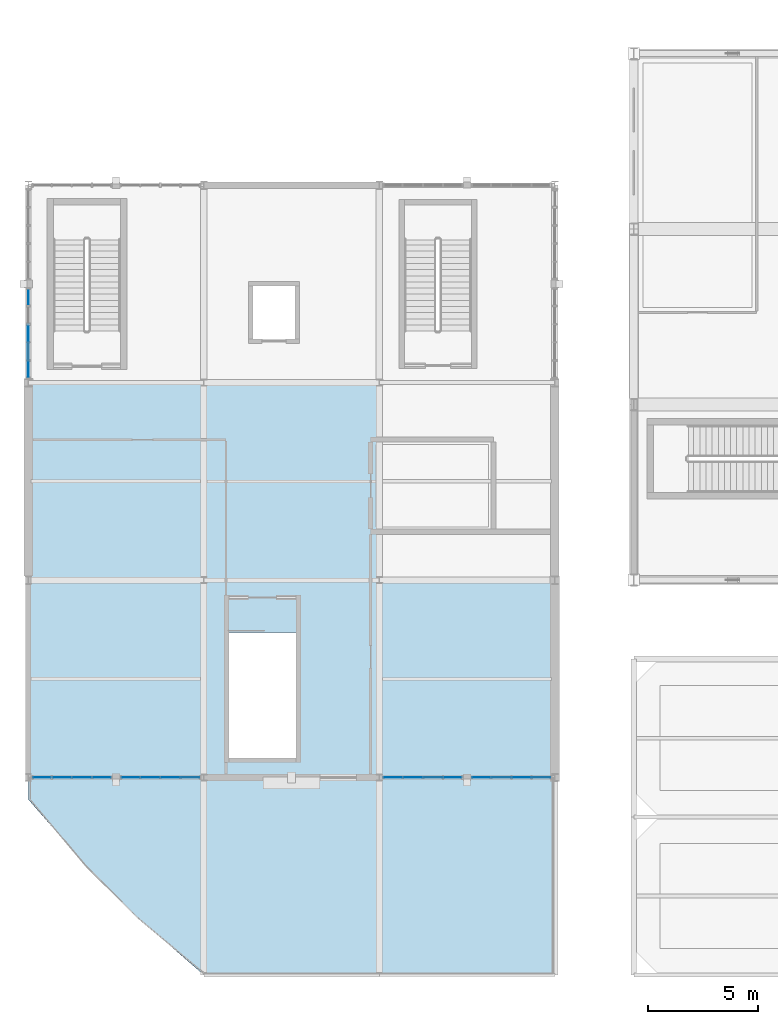
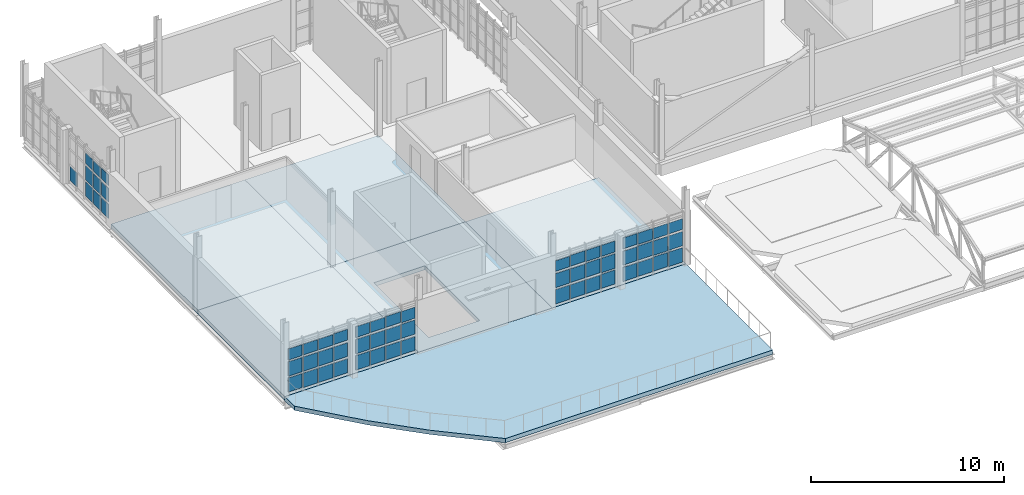
# One storey, part 84 of 128: 58 plates, 6 slabs, 5 elements without a shape of their own.
"""IFC4 building model written with IfcOpenShell, lengths in metres."""

from ifc_helpers import new_model, si_unit, direction, frame, origin, origin_2d, place, context, subcontext, project, spatial, polyline, rectangle, outline, extrude, material, layer, layer_set, type_object, element, aggregate, save


model = new_model("IFC4")

# Units and contexts
model_context = context("Model", 3, precision=1e-05, world=origin(), true_north=direction((0.0, 1.0)))
body_context = subcontext(model_context, "Body", "Model", "MODEL_VIEW")
ifc_project = project(units=[si_unit("LENGTHUNIT", "METRE"), si_unit("AREAUNIT", "SQUARE_METRE"), si_unit("VOLUMEUNIT", "CUBIC_METRE"), si_unit("PLANEANGLEUNIT", "RADIAN"), si_unit("MASSUNIT", "GRAM", prefix="KILO")], contexts=[model_context])

# Site, building, storey
site_placement = place(None, origin())
site = spatial("IfcSite", under=ifc_project, at=site_placement, CompositionType="ELEMENT")
building_placement = place(site_placement, origin())
building = spatial("IfcBuilding", under=site, at=building_placement, Name="Serraforn Aerial Cableway Station", CompositionType="ELEMENT")
storey_placement = place(building_placement, frame((0.0, 0.0, 9.0)))
storey = spatial("IfcBuildingStorey", under=building, at=storey_placement, Name="L02", CompositionType="ELEMENT", Elevation=9.0)

# Curtain wall, plates
ifc_material_1 = material(Name="Anodised bronze unitised curtain wall")
curtain_wall_type_1 = type_object("IfcCurtainWallType", Name="CW-SYS-23", PredefinedType="USERDEFINED", material=ifc_material_1)
curtain_wall_1_placement = place(storey_placement, origin())
curtain_wall_1 = element("IfcCurtainWall", 1, at=curtain_wall_1_placement, inside=storey, type_object=curtain_wall_type_1, Name="Unitised Curtain Wall CW-W-L02-S1A", ObjectType="UNITISED CURTAIN WALL", PredefinedType="USERDEFINED")
ifc_material_2 = material(Name="Solar-control low-E double glazing", Category="glass")
ifc_layer_1 = layer(ifc_material_2, 0.02587890625)
ifc_layer_set_1 = layer_set([ifc_layer_1], Name="Solar-control low-E double glazing")
plate_type_1 = type_object("IfcPlateType", Name="CW-GLZ-1", PredefinedType="CURTAIN_PANEL", material=ifc_layer_set_1)
plate_1_placement = place(storey_placement, frame((0.623291015625, 9.0, 1.2158203125), z_axis=(0.0, 0.0, 1.0), x_axis=(1.0, 0.0, 0.0)))
plate_1 = element("IfcPlate", 2, at=plate_1_placement, type_object=plate_type_1, Name="Curtain Wall Panel CW-W-L02-S1A-P1-2", PredefinedType="CURTAIN_PANEL", context=body_context, shape_type="SweptSolid", body=[
    extrude(rectangle(XDim=0.814453125, YDim=0.02587890625, at=origin_2d()), origin(), (0.0, 0.0, 1.0), 0.9150390625),
])
plate_2_placement = place(storey_placement, frame((1.530029296875, 9.0, 0.189697265625), z_axis=(0.0, 0.0, 1.0), x_axis=(1.0, 0.0, 0.0)))
plate_2 = element("IfcPlate", 3, at=plate_2_placement, type_object=plate_type_1, Name="Curtain Wall Panel CW-W-L02-S1A-P2-1", PredefinedType="CURTAIN_PANEL", context=body_context, shape_type="SweptSolid", body=[
    extrude(rectangle(XDim=0.85693359375, YDim=0.02587890625, at=origin_2d()), origin(), (0.0, 0.0, 1.0), 0.9150390625),
])

# Curtain wall, plate
curtain_wall_type_2 = type_object("IfcCurtainWallType", Name="CW-SYS-24", PredefinedType="USERDEFINED", material=ifc_material_1)
curtain_wall_2_placement = place(storey_placement, origin())
curtain_wall_2 = element("IfcCurtainWall", 4, at=curtain_wall_2_placement, inside=storey, type_object=curtain_wall_type_2, Name="Unitised Curtain Wall CW-W-L02-S1B", ObjectType="UNITISED CURTAIN WALL", PredefinedType="USERDEFINED")
plate_3_placement = place(storey_placement, frame((4.66259765625, 9.0, 0.189697265625), z_axis=(0.0, 0.0, 1.0), x_axis=(1.0, 0.0, 0.0)))
plate_3 = element("IfcPlate", 5, at=plate_3_placement, type_object=plate_type_1, Name="Curtain Wall Panel CW-W-L02-S1B-P1-1", PredefinedType="CURTAIN_PANEL", context=body_context, shape_type="SweptSolid", body=[
    extrude(rectangle(XDim=0.819580078125, YDim=0.02587890625, at=origin_2d()), origin(), (0.0, 0.0, 1.0), 0.9150390625),
])

curtain_wall_type_3 = type_object("IfcCurtainWallType", Name="CW-SYS-4", PredefinedType="USERDEFINED", material=ifc_material_1)
curtain_wall_3_placement = place(storey_placement, origin())
curtain_wall_3 = element("IfcCurtainWall", 6, at=curtain_wall_3_placement, inside=storey, type_object=curtain_wall_type_3, Name="Unitised Curtain Wall CW-W-L02-W3B", ObjectType="UNITISED CURTAIN WALL", PredefinedType="USERDEFINED")
plate_4_placement = place(storey_placement, frame((0.0, 30.890869140625, 0.209716796875), z_axis=(0.0, 0.0, 1.0), x_axis=(1.0, 0.0, 0.0)))
plate_4 = element("IfcPlate", 7, at=plate_4_placement, type_object=plate_type_1, Name="Curtain Wall Panel CW-W-L02-W3B-P1-1", PredefinedType="CURTAIN_PANEL", context=body_context, shape_type="SweptSolid", body=[
    extrude(rectangle(XDim=0.02587890625, YDim=0.732421875, at=origin_2d()), origin(), (0.0, 0.0, 1.0), 0.87255859375),
])

# Plate
ifc_layer_2 = layer(ifc_material_2, 0.028076171875)
ifc_layer_set_2 = layer_set([ifc_layer_2], Name="Solar-control low-E double glazing")
plate_type_2 = type_object("IfcPlateType", Name="CW-GLZ-2", PredefinedType="CURTAIN_PANEL", material=ifc_layer_set_2)
plate_5_placement = place(storey_placement, frame((0.623291015625, 9.0, 2.246826171875), z_axis=(0.0, 0.0, 1.0), x_axis=(1.0, 0.0, 0.0)))
plate_5 = element("IfcPlate", 8, at=plate_5_placement, type_object=plate_type_2, Name="Curtain Wall Panel CW-W-L02-S1A-P1-3", PredefinedType="CURTAIN_PANEL", context=body_context, shape_type="SweptSolid", body=[
    extrude(rectangle(XDim=0.814453125, YDim=0.028076171875, at=origin_2d()), origin(), (0.0, 0.0, 1.0), 0.697265625),
])

plate_6_placement = place(storey_placement, frame((1.530029296875, 9.0, 1.220703125), z_axis=(0.0, 0.0, 1.0), x_axis=(1.0, 0.0, 0.0)))
plate_6 = element("IfcPlate", 9, at=plate_6_placement, type_object=plate_type_2, Name="Curtain Wall Panel CW-W-L02-S1A-P2-2", PredefinedType="CURTAIN_PANEL", context=body_context, shape_type="SweptSolid", body=[
    extrude(rectangle(XDim=0.85693359375, YDim=0.028076171875, at=origin_2d()), origin(), (0.0, 0.0, 1.0), 0.902587890625),
])

plate_7_placement = place(storey_placement, frame((2.441650390625, 9.0, 0.19482421875), z_axis=(0.0, 0.0, 1.0), x_axis=(1.0, 0.0, 0.0)))
plate_7 = element("IfcPlate", 10, at=plate_7_placement, type_object=plate_type_2, Name="Curtain Wall Panel CW-W-L02-S1A-P3-1", PredefinedType="CURTAIN_PANEL", context=body_context, shape_type="SweptSolid", body=[
    extrude(rectangle(XDim=0.864501953125, YDim=0.028076171875, at=origin_2d()), origin(), (0.0, 0.0, 1.0), 0.902587890625),
])

plate_8_placement = place(storey_placement, frame((4.66259765625, 9.0, 1.220703125), z_axis=(0.0, 0.0, 1.0), x_axis=(1.0, 0.0, 0.0)))
plate_8 = element("IfcPlate", 11, at=plate_8_placement, type_object=plate_type_2, Name="Curtain Wall Panel CW-W-L02-S1B-P1-2", PredefinedType="CURTAIN_PANEL", context=body_context, shape_type="SweptSolid", body=[
    extrude(rectangle(XDim=0.819580078125, YDim=0.028076171875, at=origin_2d()), origin(), (0.0, 0.0, 1.0), 0.902587890625),
])

plate_9_placement = place(storey_placement, frame((5.5556640625, 9.0, 0.19482421875), z_axis=(0.0, 0.0, 1.0), x_axis=(1.0, 0.0, 0.0)))
plate_9 = element("IfcPlate", 12, at=plate_9_placement, type_object=plate_type_2, Name="Curtain Wall Panel CW-W-L02-S1B-P2-1", PredefinedType="CURTAIN_PANEL", context=body_context, shape_type="SweptSolid", body=[
    extrude(rectangle(XDim=0.864501953125, YDim=0.028076171875, at=origin_2d()), origin(), (0.0, 0.0, 1.0), 0.902587890625),
])

# Curtain wall, plate
curtain_wall_type_4 = type_object("IfcCurtainWallType", Name="CW-SYS-25", PredefinedType="USERDEFINED", material=ifc_material_1)
curtain_wall_4_placement = place(storey_placement, origin())
curtain_wall_4 = element("IfcCurtainWall", 13, at=curtain_wall_4_placement, inside=storey, type_object=curtain_wall_type_4, Name="Unitised Curtain Wall CW-W-L02-S3A", ObjectType="UNITISED CURTAIN WALL", PredefinedType="USERDEFINED")
plate_10_placement = place(storey_placement, frame((16.619384765625, 9.0, 0.19482421875), z_axis=(0.0, 0.0, 1.0), x_axis=(1.0, 0.0, 0.0)))
plate_10 = element("IfcPlate", 14, at=plate_10_placement, type_object=plate_type_2, Name="Curtain Wall Panel CW-W-L02-S3A-P1-1", PredefinedType="CURTAIN_PANEL", context=body_context, shape_type="SweptSolid", body=[
    extrude(rectangle(XDim=0.8369140625, YDim=0.028076171875, at=origin_2d()), origin(), (0.0, 0.0, 1.0), 0.902587890625),
])

# Plate
ifc_layer_3 = layer(ifc_material_2, 0.030029296875)
ifc_layer_set_3 = layer_set([ifc_layer_3], Name="Solar-control low-E double glazing")
plate_type_3 = type_object("IfcPlateType", Name="CW-GLZ-3", PredefinedType="CURTAIN_PANEL", material=ifc_layer_set_3)
plate_11_placement = place(storey_placement, frame((1.530029296875, 9.0, 2.25439453125), z_axis=(0.0, 0.0, 1.0), x_axis=(1.0, 0.0, 0.0)))
plate_11 = element("IfcPlate", 15, at=plate_11_placement, type_object=plate_type_3, Name="Curtain Wall Panel CW-W-L02-S1A-P2-3", PredefinedType="CURTAIN_PANEL", context=body_context, shape_type="SweptSolid", body=[
    extrude(rectangle(XDim=0.85693359375, YDim=0.030029296875, at=origin_2d()), origin(), (0.0, 0.0, 1.0), 0.682373046875),
])

plate_12_placement = place(storey_placement, frame((2.441650390625, 9.0, 1.228515625), z_axis=(0.0, 0.0, 1.0), x_axis=(1.0, 0.0, 0.0)))
plate_12 = element("IfcPlate", 16, at=plate_12_placement, type_object=plate_type_3, Name="Curtain Wall Panel CW-W-L02-S1A-P3-2", PredefinedType="CURTAIN_PANEL", context=body_context, shape_type="SweptSolid", body=[
    extrude(rectangle(XDim=0.864501953125, YDim=0.030029296875, at=origin_2d()), origin(), (0.0, 0.0, 1.0), 0.887451171875),
])

plate_13_placement = place(storey_placement, frame((3.343505859375, 9.0, 0.2021484375), z_axis=(0.0, 0.0, 1.0), x_axis=(1.0, 0.0, 0.0)))
plate_13 = element("IfcPlate", 17, at=plate_13_placement, type_object=plate_type_3, Name="Curtain Wall Panel CW-W-L02-S1A-P4-1", PredefinedType="CURTAIN_PANEL", context=body_context, shape_type="SweptSolid", body=[
    extrude(rectangle(XDim=0.826904296875, YDim=0.030029296875, at=origin_2d()), origin(), (0.0, 0.0, 1.0), 0.887451171875),
])

plate_14_placement = place(storey_placement, frame((4.66259765625, 9.0, 2.25439453125), z_axis=(0.0, 0.0, 1.0), x_axis=(1.0, 0.0, 0.0)))
plate_14 = element("IfcPlate", 18, at=plate_14_placement, type_object=plate_type_3, Name="Curtain Wall Panel CW-W-L02-S1B-P1-3", PredefinedType="CURTAIN_PANEL", context=body_context, shape_type="SweptSolid", body=[
    extrude(rectangle(XDim=0.819580078125, YDim=0.030029296875, at=origin_2d()), origin(), (0.0, 0.0, 1.0), 0.682373046875),
])

plate_15_placement = place(storey_placement, frame((5.5556640625, 9.0, 1.228515625), z_axis=(0.0, 0.0, 1.0), x_axis=(1.0, 0.0, 0.0)))
plate_15 = element("IfcPlate", 19, at=plate_15_placement, type_object=plate_type_3, Name="Curtain Wall Panel CW-W-L02-S1B-P2-2", PredefinedType="CURTAIN_PANEL", context=body_context, shape_type="SweptSolid", body=[
    extrude(rectangle(XDim=0.864501953125, YDim=0.030029296875, at=origin_2d()), origin(), (0.0, 0.0, 1.0), 0.887451171875),
])

plate_16_placement = place(storey_placement, frame((6.4736328125, 9.0, 0.2021484375), z_axis=(0.0, 0.0, 1.0), x_axis=(1.0, 0.0, 0.0)))
plate_16 = element("IfcPlate", 20, at=plate_16_placement, type_object=plate_type_3, Name="Curtain Wall Panel CW-W-L02-S1B-P3-1", PredefinedType="CURTAIN_PANEL", context=body_context, shape_type="SweptSolid", body=[
    extrude(rectangle(XDim=0.859619140625, YDim=0.030029296875, at=origin_2d()), origin(), (0.0, 0.0, 1.0), 0.887451171875),
])

plate_17_placement = place(storey_placement, frame((16.619384765625, 9.0, 1.228515625), z_axis=(0.0, 0.0, 1.0), x_axis=(1.0, 0.0, 0.0)))
plate_17 = element("IfcPlate", 21, at=plate_17_placement, type_object=plate_type_3, Name="Curtain Wall Panel CW-W-L02-S3A-P1-2", PredefinedType="CURTAIN_PANEL", context=body_context, shape_type="SweptSolid", body=[
    extrude(rectangle(XDim=0.8369140625, YDim=0.030029296875, at=origin_2d()), origin(), (0.0, 0.0, 1.0), 0.887451171875),
])

plate_18_placement = place(storey_placement, frame((17.523681640625, 9.0, 0.2021484375), z_axis=(0.0, 0.0, 1.0), x_axis=(1.0, 0.0, 0.0)))
plate_18 = element("IfcPlate", 22, at=plate_18_placement, type_object=plate_type_3, Name="Curtain Wall Panel CW-W-L02-S3A-P2-1", PredefinedType="CURTAIN_PANEL", context=body_context, shape_type="SweptSolid", body=[
    extrude(rectangle(XDim=0.859619140625, YDim=0.030029296875, at=origin_2d()), origin(), (0.0, 0.0, 1.0), 0.887451171875),
])

# Curtain wall, plate
curtain_wall_type_5 = type_object("IfcCurtainWallType", Name="CW-SYS-26", PredefinedType="USERDEFINED", material=ifc_material_1)
curtain_wall_5_placement = place(storey_placement, origin())
curtain_wall_5 = element("IfcCurtainWall", 23, at=curtain_wall_5_placement, inside=storey, type_object=curtain_wall_type_5, Name="Unitised Curtain Wall CW-W-L02-S3B", ObjectType="UNITISED CURTAIN WALL", PredefinedType="USERDEFINED")
plate_19_placement = place(storey_placement, frame((20.65283203125, 9.0, 0.2021484375), z_axis=(0.0, 0.0, 1.0), x_axis=(1.0, 0.0, 0.0)))
plate_19 = element("IfcPlate", 24, at=plate_19_placement, type_object=plate_type_3, Name="Curtain Wall Panel CW-W-L02-S3B-P1-1", PredefinedType="CURTAIN_PANEL", context=body_context, shape_type="SweptSolid", body=[
    extrude(rectangle(XDim=0.82958984375, YDim=0.030029296875, at=origin_2d()), origin(), (0.0, 0.0, 1.0), 0.887451171875),
])

# Plate
plate_20_placement = place(storey_placement, frame((0.0, 29.243896484375, 0.189697265625), z_axis=(0.0, 0.0, 1.0), x_axis=(1.0, 0.0, 0.0)))
plate_20 = element("IfcPlate", 25, at=plate_20_placement, type_object=plate_type_3, Name="Curtain Wall Panel CW-W-L02-W3B-P3-1", PredefinedType="CURTAIN_PANEL", context=body_context, shape_type="SweptSolid", body=[
    extrude(rectangle(XDim=0.030029296875, YDim=0.767333984375, at=origin_2d()), origin(), (0.0, 0.0, 1.0), 0.9150390625),
])

ifc_layer_4 = layer(ifc_material_2, 0.031982421875)
ifc_layer_set_4 = layer_set([ifc_layer_4], Name="Solar-control low-E double glazing")
plate_type_4 = type_object("IfcPlateType", Name="CW-GLZ-4", PredefinedType="CURTAIN_PANEL", material=ifc_layer_set_4)
plate_21_placement = place(storey_placement, frame((2.441650390625, 9.0, 2.26171875), z_axis=(0.0, 0.0, 1.0), x_axis=(1.0, 0.0, 0.0)))
plate_21 = element("IfcPlate", 26, at=plate_21_placement, type_object=plate_type_4, Name="Curtain Wall Panel CW-W-L02-S1A-P3-3", PredefinedType="CURTAIN_PANEL", context=body_context, shape_type="SweptSolid", body=[
    extrude(rectangle(XDim=0.864501953125, YDim=0.031982421875, at=origin_2d()), origin(), (0.0, 0.0, 1.0), 0.667236328125),
])

plate_22_placement = place(storey_placement, frame((3.343505859375, 9.0, 1.23583984375), z_axis=(0.0, 0.0, 1.0), x_axis=(1.0, 0.0, 0.0)))
plate_22 = element("IfcPlate", 27, at=plate_22_placement, type_object=plate_type_4, Name="Curtain Wall Panel CW-W-L02-S1A-P4-2", PredefinedType="CURTAIN_PANEL", context=body_context, shape_type="SweptSolid", body=[
    extrude(rectangle(XDim=0.826904296875, YDim=0.031982421875, at=origin_2d()), origin(), (0.0, 0.0, 1.0), 0.87255859375),
])

plate_23_placement = place(storey_placement, frame((5.5556640625, 9.0, 2.26171875), z_axis=(0.0, 0.0, 1.0), x_axis=(1.0, 0.0, 0.0)))
plate_23 = element("IfcPlate", 28, at=plate_23_placement, type_object=plate_type_4, Name="Curtain Wall Panel CW-W-L02-S1B-P2-3", PredefinedType="CURTAIN_PANEL", context=body_context, shape_type="SweptSolid", body=[
    extrude(rectangle(XDim=0.864501953125, YDim=0.031982421875, at=origin_2d()), origin(), (0.0, 0.0, 1.0), 0.667236328125),
])

plate_24_placement = place(storey_placement, frame((6.4736328125, 9.0, 1.23583984375), z_axis=(0.0, 0.0, 1.0), x_axis=(1.0, 0.0, 0.0)))
plate_24 = element("IfcPlate", 29, at=plate_24_placement, type_object=plate_type_4, Name="Curtain Wall Panel CW-W-L02-S1B-P3-2", PredefinedType="CURTAIN_PANEL", context=body_context, shape_type="SweptSolid", body=[
    extrude(rectangle(XDim=0.859619140625, YDim=0.031982421875, at=origin_2d()), origin(), (0.0, 0.0, 1.0), 0.87255859375),
])

plate_25_placement = place(storey_placement, frame((7.374267578125, 9.0, 0.209716796875), z_axis=(0.0, 0.0, 1.0), x_axis=(1.0, 0.0, 0.0)))
plate_25 = element("IfcPlate", 30, at=plate_25_placement, type_object=plate_type_4, Name="Curtain Wall Panel CW-W-L02-S1B-P4-1", PredefinedType="CURTAIN_PANEL", context=body_context, shape_type="SweptSolid", body=[
    extrude(rectangle(XDim=0.819580078125, YDim=0.031982421875, at=origin_2d()), origin(), (0.0, 0.0, 1.0), 0.87255859375),
])

plate_26_placement = place(storey_placement, frame((16.619384765625, 9.0, 2.26171875), z_axis=(0.0, 0.0, 1.0), x_axis=(1.0, 0.0, 0.0)))
plate_26 = element("IfcPlate", 31, at=plate_26_placement, type_object=plate_type_4, Name="Curtain Wall Panel CW-W-L02-S3A-P1-3", PredefinedType="CURTAIN_PANEL", context=body_context, shape_type="SweptSolid", body=[
    extrude(rectangle(XDim=0.8369140625, YDim=0.031982421875, at=origin_2d()), origin(), (0.0, 0.0, 1.0), 0.667236328125),
])

plate_27_placement = place(storey_placement, frame((17.523681640625, 9.0, 1.23583984375), z_axis=(0.0, 0.0, 1.0), x_axis=(1.0, 0.0, 0.0)))
plate_27 = element("IfcPlate", 32, at=plate_27_placement, type_object=plate_type_4, Name="Curtain Wall Panel CW-W-L02-S3A-P2-2", PredefinedType="CURTAIN_PANEL", context=body_context, shape_type="SweptSolid", body=[
    extrude(rectangle(XDim=0.859619140625, YDim=0.031982421875, at=origin_2d()), origin(), (0.0, 0.0, 1.0), 0.87255859375),
])

plate_28_placement = place(storey_placement, frame((18.441650390625, 9.0, 0.209716796875), z_axis=(0.0, 0.0, 1.0), x_axis=(1.0, 0.0, 0.0)))
plate_28 = element("IfcPlate", 33, at=plate_28_placement, type_object=plate_type_4, Name="Curtain Wall Panel CW-W-L02-S3A-P3-1", PredefinedType="CURTAIN_PANEL", context=body_context, shape_type="SweptSolid", body=[
    extrude(rectangle(XDim=0.8544921875, YDim=0.031982421875, at=origin_2d()), origin(), (0.0, 0.0, 1.0), 0.87255859375),
])

plate_29_placement = place(storey_placement, frame((20.65283203125, 9.0, 1.23583984375), z_axis=(0.0, 0.0, 1.0), x_axis=(1.0, 0.0, 0.0)))
plate_29 = element("IfcPlate", 34, at=plate_29_placement, type_object=plate_type_4, Name="Curtain Wall Panel CW-W-L02-S3B-P1-2", PredefinedType="CURTAIN_PANEL", context=body_context, shape_type="SweptSolid", body=[
    extrude(rectangle(XDim=0.82958984375, YDim=0.031982421875, at=origin_2d()), origin(), (0.0, 0.0, 1.0), 0.87255859375),
])

plate_30_placement = place(storey_placement, frame((21.5556640625, 9.0, 0.209716796875), z_axis=(0.0, 0.0, 1.0), x_axis=(1.0, 0.0, 0.0)))
plate_30 = element("IfcPlate", 35, at=plate_30_placement, type_object=plate_type_4, Name="Curtain Wall Panel CW-W-L02-S3B-P2-1", PredefinedType="CURTAIN_PANEL", context=body_context, shape_type="SweptSolid", body=[
    extrude(rectangle(XDim=0.8544921875, YDim=0.031982421875, at=origin_2d()), origin(), (0.0, 0.0, 1.0), 0.87255859375),
])

plate_31_placement = place(storey_placement, frame((0.0, 29.243896484375, 1.220703125), z_axis=(0.0, 0.0, 1.0), x_axis=(1.0, 0.0, 0.0)))
plate_31 = element("IfcPlate", 36, at=plate_31_placement, type_object=plate_type_4, Name="Curtain Wall Panel CW-W-L02-W3B-P3-2", PredefinedType="CURTAIN_PANEL", context=body_context, shape_type="SweptSolid", body=[
    extrude(rectangle(XDim=0.031982421875, YDim=0.767333984375, at=origin_2d()), origin(), (0.0, 0.0, 1.0), 0.902587890625),
])

plate_32_placement = place(storey_placement, frame((0.0, 28.421875, 0.19482421875), z_axis=(0.0, 0.0, 1.0), x_axis=(1.0, 0.0, 0.0)))
plate_32 = element("IfcPlate", 37, at=plate_32_placement, type_object=plate_type_4, Name="Curtain Wall Panel CW-W-L02-W3B-P4-1", PredefinedType="CURTAIN_PANEL", context=body_context, shape_type="SweptSolid", body=[
    extrude(rectangle(XDim=0.031982421875, YDim=0.77490234375, at=origin_2d()), origin(), (0.0, 0.0, 1.0), 0.902587890625),
])

ifc_layer_5 = layer(ifc_material_2, 0.033935546875)
ifc_layer_set_5 = layer_set([ifc_layer_5], Name="Solar-control low-E double glazing")
plate_type_5 = type_object("IfcPlateType", Name="CW-GLZ-5", PredefinedType="CURTAIN_PANEL", material=ifc_layer_set_5)
plate_33_placement = place(storey_placement, frame((3.343505859375, 9.0, 2.26953125), z_axis=(0.0, 0.0, 1.0), x_axis=(1.0, 0.0, 0.0)))
plate_33 = element("IfcPlate", 38, at=plate_33_placement, type_object=plate_type_5, Name="Curtain Wall Panel CW-W-L02-S1A-P4-3", PredefinedType="CURTAIN_PANEL", context=body_context, shape_type="SweptSolid", body=[
    extrude(rectangle(XDim=0.826904296875, YDim=0.033935546875, at=origin_2d()), origin(), (0.0, 0.0, 1.0), 0.687255859375),
])

plate_34_placement = place(storey_placement, frame((6.4736328125, 9.0, 2.26953125), z_axis=(0.0, 0.0, 1.0), x_axis=(1.0, 0.0, 0.0)))
plate_34 = element("IfcPlate", 39, at=plate_34_placement, type_object=plate_type_5, Name="Curtain Wall Panel CW-W-L02-S1B-P3-3", PredefinedType="CURTAIN_PANEL", context=body_context, shape_type="SweptSolid", body=[
    extrude(rectangle(XDim=0.859619140625, YDim=0.033935546875, at=origin_2d()), origin(), (0.0, 0.0, 1.0), 0.687255859375),
])

plate_35_placement = place(storey_placement, frame((7.374267578125, 9.0, 1.243408203125), z_axis=(0.0, 0.0, 1.0), x_axis=(1.0, 0.0, 0.0)))
plate_35 = element("IfcPlate", 40, at=plate_35_placement, type_object=plate_type_5, Name="Curtain Wall Panel CW-W-L02-S1B-P4-2", PredefinedType="CURTAIN_PANEL", context=body_context, shape_type="SweptSolid", body=[
    extrude(rectangle(XDim=0.819580078125, YDim=0.033935546875, at=origin_2d()), origin(), (0.0, 0.0, 1.0), 0.892578125),
])

plate_36_placement = place(storey_placement, frame((17.523681640625, 9.0, 2.26953125), z_axis=(0.0, 0.0, 1.0), x_axis=(1.0, 0.0, 0.0)))
plate_36 = element("IfcPlate", 41, at=plate_36_placement, type_object=plate_type_5, Name="Curtain Wall Panel CW-W-L02-S3A-P2-3", PredefinedType="CURTAIN_PANEL", context=body_context, shape_type="SweptSolid", body=[
    extrude(rectangle(XDim=0.859619140625, YDim=0.033935546875, at=origin_2d()), origin(), (0.0, 0.0, 1.0), 0.687255859375),
])

plate_37_placement = place(storey_placement, frame((18.441650390625, 9.0, 1.243408203125), z_axis=(0.0, 0.0, 1.0), x_axis=(1.0, 0.0, 0.0)))
plate_37 = element("IfcPlate", 42, at=plate_37_placement, type_object=plate_type_5, Name="Curtain Wall Panel CW-W-L02-S3A-P3-2", PredefinedType="CURTAIN_PANEL", context=body_context, shape_type="SweptSolid", body=[
    extrude(rectangle(XDim=0.8544921875, YDim=0.033935546875, at=origin_2d()), origin(), (0.0, 0.0, 1.0), 0.892578125),
])

plate_38_placement = place(storey_placement, frame((19.341064453125, 9.0, 0.21728515625), z_axis=(0.0, 0.0, 1.0), x_axis=(1.0, 0.0, 0.0)))
plate_38 = element("IfcPlate", 43, at=plate_38_placement, type_object=plate_type_5, Name="Curtain Wall Panel CW-W-L02-S3A-P4-1", PredefinedType="CURTAIN_PANEL", context=body_context, shape_type="SweptSolid", body=[
    extrude(rectangle(XDim=0.81201171875, YDim=0.033935546875, at=origin_2d()), origin(), (0.0, 0.0, 1.0), 0.892578125),
])

plate_39_placement = place(storey_placement, frame((20.65283203125, 9.0, 2.26953125), z_axis=(0.0, 0.0, 1.0), x_axis=(1.0, 0.0, 0.0)))
plate_39 = element("IfcPlate", 44, at=plate_39_placement, type_object=plate_type_5, Name="Curtain Wall Panel CW-W-L02-S3B-P1-3", PredefinedType="CURTAIN_PANEL", context=body_context, shape_type="SweptSolid", body=[
    extrude(rectangle(XDim=0.82958984375, YDim=0.033935546875, at=origin_2d()), origin(), (0.0, 0.0, 1.0), 0.687255859375),
])

plate_40_placement = place(storey_placement, frame((21.5556640625, 9.0, 1.243408203125), z_axis=(0.0, 0.0, 1.0), x_axis=(1.0, 0.0, 0.0)))
plate_40 = element("IfcPlate", 45, at=plate_40_placement, type_object=plate_type_5, Name="Curtain Wall Panel CW-W-L02-S3B-P2-2", PredefinedType="CURTAIN_PANEL", context=body_context, shape_type="SweptSolid", body=[
    extrude(rectangle(XDim=0.8544921875, YDim=0.033935546875, at=origin_2d()), origin(), (0.0, 0.0, 1.0), 0.892578125),
])

plate_41_placement = place(storey_placement, frame((22.4736328125, 9.0, 0.21728515625), z_axis=(0.0, 0.0, 1.0), x_axis=(1.0, 0.0, 0.0)))
plate_41 = element("IfcPlate", 46, at=plate_41_placement, type_object=plate_type_5, Name="Curtain Wall Panel CW-W-L02-S3B-P3-1", PredefinedType="CURTAIN_PANEL", context=body_context, shape_type="SweptSolid", body=[
    extrude(rectangle(XDim=0.849609375, YDim=0.033935546875, at=origin_2d()), origin(), (0.0, 0.0, 1.0), 0.892578125),
])

plate_42_placement = place(storey_placement, frame((0.0, 29.243896484375, 2.25439453125), z_axis=(0.0, 0.0, 1.0), x_axis=(1.0, 0.0, 0.0)))
plate_42 = element("IfcPlate", 47, at=plate_42_placement, type_object=plate_type_5, Name="Curtain Wall Panel CW-W-L02-W3B-P3-3", PredefinedType="CURTAIN_PANEL", context=body_context, shape_type="SweptSolid", body=[
    extrude(rectangle(XDim=0.033935546875, YDim=0.767333984375, at=origin_2d()), origin(), (0.0, 0.0, 1.0), 0.682373046875),
])

plate_43_placement = place(storey_placement, frame((0.0, 28.421875, 1.228515625), z_axis=(0.0, 0.0, 1.0), x_axis=(1.0, 0.0, 0.0)))
plate_43 = element("IfcPlate", 48, at=plate_43_placement, type_object=plate_type_5, Name="Curtain Wall Panel CW-W-L02-W3B-P4-2", PredefinedType="CURTAIN_PANEL", context=body_context, shape_type="SweptSolid", body=[
    extrude(rectangle(XDim=0.033935546875, YDim=0.77490234375, at=origin_2d()), origin(), (0.0, 0.0, 1.0), 0.887451171875),
])

plate_44_placement = place(storey_placement, frame((0.0, 27.609619140625, 0.2021484375), z_axis=(0.0, 0.0, 1.0), x_axis=(1.0, 0.0, 0.0)))
plate_44 = element("IfcPlate", 49, at=plate_44_placement, type_object=plate_type_5, Name="Curtain Wall Panel CW-W-L02-W3B-P5-1", PredefinedType="CURTAIN_PANEL", context=body_context, shape_type="SweptSolid", body=[
    extrude(rectangle(XDim=0.033935546875, YDim=0.7373046875, at=origin_2d()), origin(), (0.0, 0.0, 1.0), 0.887451171875),
])

ifc_layer_6 = layer(ifc_material_2, 0.035888671875)
ifc_layer_set_6 = layer_set([ifc_layer_6], Name="Solar-control low-E double glazing")
plate_type_6 = type_object("IfcPlateType", Name="CW-GLZ-6", PredefinedType="CURTAIN_PANEL", material=ifc_layer_set_6)
plate_45_placement = place(storey_placement, frame((7.374267578125, 9.0, 2.24169921875), z_axis=(0.0, 0.0, 1.0), x_axis=(1.0, 0.0, 0.0)))
plate_45 = element("IfcPlate", 50, at=plate_45_placement, type_object=plate_type_6, Name="Curtain Wall Panel CW-W-L02-S1B-P4-3", PredefinedType="CURTAIN_PANEL", context=body_context, shape_type="SweptSolid", body=[
    extrude(rectangle(XDim=0.819580078125, YDim=0.035888671875, at=origin_2d()), origin(), (0.0, 0.0, 1.0), 0.709716796875),
])

aggregate(curtain_wall_2, [plate_3, plate_8, plate_14, plate_9, plate_15, plate_23, plate_16, plate_24, plate_34, plate_25, plate_35, plate_45])

plate_46_placement = place(storey_placement, frame((18.441650390625, 9.0, 2.24169921875), z_axis=(0.0, 0.0, 1.0), x_axis=(1.0, 0.0, 0.0)))
plate_46 = element("IfcPlate", 51, at=plate_46_placement, type_object=plate_type_6, Name="Curtain Wall Panel CW-W-L02-S3A-P3-3", PredefinedType="CURTAIN_PANEL", context=body_context, shape_type="SweptSolid", body=[
    extrude(rectangle(XDim=0.8544921875, YDim=0.035888671875, at=origin_2d()), origin(), (0.0, 0.0, 1.0), 0.709716796875),
])

plate_47_placement = place(storey_placement, frame((19.341064453125, 9.0, 1.2158203125), z_axis=(0.0, 0.0, 1.0), x_axis=(1.0, 0.0, 0.0)))
plate_47 = element("IfcPlate", 52, at=plate_47_placement, type_object=plate_type_6, Name="Curtain Wall Panel CW-W-L02-S3A-P4-2", PredefinedType="CURTAIN_PANEL", context=body_context, shape_type="SweptSolid", body=[
    extrude(rectangle(XDim=0.81201171875, YDim=0.035888671875, at=origin_2d()), origin(), (0.0, 0.0, 1.0), 0.9150390625),
])

plate_48_placement = place(storey_placement, frame((21.5556640625, 9.0, 2.24169921875), z_axis=(0.0, 0.0, 1.0), x_axis=(1.0, 0.0, 0.0)))
plate_48 = element("IfcPlate", 53, at=plate_48_placement, type_object=plate_type_6, Name="Curtain Wall Panel CW-W-L02-S3B-P2-3", PredefinedType="CURTAIN_PANEL", context=body_context, shape_type="SweptSolid", body=[
    extrude(rectangle(XDim=0.8544921875, YDim=0.035888671875, at=origin_2d()), origin(), (0.0, 0.0, 1.0), 0.709716796875),
])

plate_49_placement = place(storey_placement, frame((22.4736328125, 9.0, 1.2158203125), z_axis=(0.0, 0.0, 1.0), x_axis=(1.0, 0.0, 0.0)))
plate_49 = element("IfcPlate", 54, at=plate_49_placement, type_object=plate_type_6, Name="Curtain Wall Panel CW-W-L02-S3B-P3-2", PredefinedType="CURTAIN_PANEL", context=body_context, shape_type="SweptSolid", body=[
    extrude(rectangle(XDim=0.849609375, YDim=0.035888671875, at=origin_2d()), origin(), (0.0, 0.0, 1.0), 0.9150390625),
])

plate_50_placement = place(storey_placement, frame((23.38427734375, 9.0, 0.189697265625), z_axis=(0.0, 0.0, 1.0), x_axis=(1.0, 0.0, 0.0)))
plate_50 = element("IfcPlate", 55, at=plate_50_placement, type_object=plate_type_6, Name="Curtain Wall Panel CW-W-L02-S3B-P4-1", PredefinedType="CURTAIN_PANEL", context=body_context, shape_type="SweptSolid", body=[
    extrude(rectangle(XDim=0.82958984375, YDim=0.035888671875, at=origin_2d()), origin(), (0.0, 0.0, 1.0), 0.9150390625),
])

plate_51_placement = place(storey_placement, frame((0.0, 28.421875, 2.26171875), z_axis=(0.0, 0.0, 1.0), x_axis=(1.0, 0.0, 0.0)))
plate_51 = element("IfcPlate", 56, at=plate_51_placement, type_object=plate_type_6, Name="Curtain Wall Panel CW-W-L02-W3B-P4-3", PredefinedType="CURTAIN_PANEL", context=body_context, shape_type="SweptSolid", body=[
    extrude(rectangle(XDim=0.035888671875, YDim=0.77490234375, at=origin_2d()), origin(), (0.0, 0.0, 1.0), 0.667236328125),
])

plate_52_placement = place(storey_placement, frame((0.0, 27.609619140625, 1.23583984375), z_axis=(0.0, 0.0, 1.0), x_axis=(1.0, 0.0, 0.0)))
plate_52 = element("IfcPlate", 57, at=plate_52_placement, type_object=plate_type_6, Name="Curtain Wall Panel CW-W-L02-W3B-P5-2", PredefinedType="CURTAIN_PANEL", context=body_context, shape_type="SweptSolid", body=[
    extrude(rectangle(XDim=0.035888671875, YDim=0.7373046875, at=origin_2d()), origin(), (0.0, 0.0, 1.0), 0.87255859375),
])

ifc_layer_7 = layer(ifc_material_2, 0.029052734375)
ifc_layer_set_7 = layer_set([ifc_layer_7], Name="Solar-control low-E double glazing")
plate_type_7 = type_object("IfcPlateType", Name="CW-GLZ-7", PredefinedType="CURTAIN_PANEL", material=ifc_layer_set_7)
plate_53_placement = place(storey_placement, frame((19.341064453125, 9.0, 2.246826171875), z_axis=(0.0, 0.0, 1.0), x_axis=(1.0, 0.0, 0.0)))
plate_53 = element("IfcPlate", 58, at=plate_53_placement, type_object=plate_type_7, Name="Curtain Wall Panel CW-W-L02-S3A-P4-3", PredefinedType="CURTAIN_PANEL", context=body_context, shape_type="SweptSolid", body=[
    extrude(rectangle(XDim=0.81201171875, YDim=0.029052734375, at=origin_2d()), origin(), (0.0, 0.0, 1.0), 0.697265625),
])

aggregate(curtain_wall_4, [plate_10, plate_17, plate_26, plate_18, plate_27, plate_36, plate_28, plate_37, plate_46, plate_38, plate_47, plate_53])

plate_54_placement = place(storey_placement, frame((22.4736328125, 9.0, 2.246826171875), z_axis=(0.0, 0.0, 1.0), x_axis=(1.0, 0.0, 0.0)))
plate_54 = element("IfcPlate", 59, at=plate_54_placement, type_object=plate_type_7, Name="Curtain Wall Panel CW-W-L02-S3B-P3-3", PredefinedType="CURTAIN_PANEL", context=body_context, shape_type="SweptSolid", body=[
    extrude(rectangle(XDim=0.849609375, YDim=0.029052734375, at=origin_2d()), origin(), (0.0, 0.0, 1.0), 0.697265625),
])

plate_55_placement = place(storey_placement, frame((23.38427734375, 9.0, 1.220703125), z_axis=(0.0, 0.0, 1.0), x_axis=(1.0, 0.0, 0.0)))
plate_55 = element("IfcPlate", 60, at=plate_55_placement, type_object=plate_type_7, Name="Curtain Wall Panel CW-W-L02-S3B-P4-2", PredefinedType="CURTAIN_PANEL", context=body_context, shape_type="SweptSolid", body=[
    extrude(rectangle(XDim=0.82958984375, YDim=0.029052734375, at=origin_2d()), origin(), (0.0, 0.0, 1.0), 0.902587890625),
])

plate_56_placement = place(storey_placement, frame((0.0, 27.609619140625, 2.26953125), z_axis=(0.0, 0.0, 1.0), x_axis=(1.0, 0.0, 0.0)))
plate_56 = element("IfcPlate", 61, at=plate_56_placement, type_object=plate_type_7, Name="Curtain Wall Panel CW-W-L02-W3B-P5-3", PredefinedType="CURTAIN_PANEL", context=body_context, shape_type="SweptSolid", body=[
    extrude(rectangle(XDim=0.029052734375, YDim=0.7373046875, at=origin_2d()), origin(), (0.0, 0.0, 1.0), 0.687255859375),
])

aggregate(curtain_wall_3, [plate_4, plate_20, plate_31, plate_42, plate_32, plate_43, plate_51, plate_44, plate_52, plate_56])

ifc_layer_8 = layer(ifc_material_2, 0.031005859375)
ifc_layer_set_8 = layer_set([ifc_layer_8], Name="Solar-control low-E double glazing")
plate_type_8 = type_object("IfcPlateType", Name="CW-GLZ-8", PredefinedType="CURTAIN_PANEL", material=ifc_layer_set_8)
plate_57_placement = place(storey_placement, frame((0.623291015625, 9.0, 0.21728515625), z_axis=(0.0, 0.0, 1.0), x_axis=(1.0, 0.0, 0.0)))
plate_57 = element("IfcPlate", 62, at=plate_57_placement, type_object=plate_type_8, Name="Curtain Wall Panel CW-W-L02-S1A-P1-1", PredefinedType="CURTAIN_PANEL", context=body_context, shape_type="SweptSolid", body=[
    extrude(rectangle(XDim=0.814453125, YDim=0.031005859375, at=origin_2d()), origin(), (0.0, 0.0, 1.0), 0.892578125),
])

aggregate(curtain_wall_1, [plate_57, plate_1, plate_5, plate_2, plate_6, plate_11, plate_7, plate_12, plate_21, plate_13, plate_22, plate_33])

plate_58_placement = place(storey_placement, frame((23.38427734375, 9.0, 2.25439453125), z_axis=(0.0, 0.0, 1.0), x_axis=(1.0, 0.0, 0.0)))
plate_58 = element("IfcPlate", 63, at=plate_58_placement, type_object=plate_type_8, Name="Curtain Wall Panel CW-W-L02-S3B-P4-3", PredefinedType="CURTAIN_PANEL", context=body_context, shape_type="SweptSolid", body=[
    extrude(rectangle(XDim=0.82958984375, YDim=0.031005859375, at=origin_2d()), origin(), (0.0, 0.0, 1.0), 0.682373046875),
])

aggregate(curtain_wall_5, [plate_19, plate_29, plate_39, plate_30, plate_40, plate_48, plate_41, plate_49, plate_54, plate_50, plate_55, plate_58])

# Slabs
ifc_material_3 = material(Name="Concrete C30/37", Category="concrete")
ifc_layer_9 = layer(ifc_material_3, 0.2548828125)
ifc_layer_set_9 = layer_set([ifc_layer_9], Name="Concrete C30/37")
slab_type_1 = type_object("IfcSlabType", Name="SLB-FLR-255", PredefinedType="FLOOR", material=ifc_layer_set_9)
slab_1_placement = place(storey_placement, frame((0.0, 0.0, -0.2548828125)))
element("IfcSlab", 64, at=slab_1_placement, inside=storey, type_object=slab_type_1, Name="Floor Slab W-L02-1-2", PredefinedType="FLOOR", context=body_context, shape_type="SweptSolid", body=[
    extrude(outline(polyline([(0.0, 9.0), (8.0, 9.0), (8.0, 18.0), (0.0, 18.0), (0.0, 9.0)])), origin(), (0.0, 0.0, 1.0), 0.2548828125),
])
slab_2_placement = place(storey_placement, frame((0.0, 0.0, -0.2548828125)))
element("IfcSlab", 65, at=slab_2_placement, inside=storey, type_object=slab_type_1, Name="Floor Slab W-L02-1-3", PredefinedType="FLOOR", context=body_context, shape_type="SweptSolid", body=[
    extrude(outline(polyline([(0.0, 18.0), (8.0, 18.0), (8.0, 27.0), (0.0, 27.0), (0.0, 18.0)])), origin(), (0.0, 0.0, 1.0), 0.2548828125),
])
slab_3_placement = place(storey_placement, frame((0.0, 0.0, -0.2548828125)))
element("IfcSlab", 66, at=slab_3_placement, inside=storey, type_object=slab_type_1, Name="Floor Slab W-L02-2-2", PredefinedType="FLOOR", context=body_context, shape_type="SweptSolid", body=[
    extrude(outline(polyline([(8.0, 9.0), (16.0, 9.0), (16.0, 18.0), (8.0, 18.0), (8.0, 9.0)]), holes=[polyline([(9.139892578125, 15.60009765625), (9.139892578125, 9.89990234375), (12.199951171875, 9.89990234375), (12.199951171875, 15.60009765625), (9.139892578125, 15.60009765625)])]), origin(), (0.0, 0.0, 1.0), 0.2548828125),
])
slab_4_placement = place(storey_placement, frame((0.0, 0.0, -0.2548828125)))
element("IfcSlab", 67, at=slab_4_placement, inside=storey, type_object=slab_type_1, Name="Floor Slab W-L02-2-3", PredefinedType="FLOOR", context=body_context, shape_type="SweptSolid", body=[
    extrude(outline(polyline([(8.0, 18.0), (16.0, 18.0), (16.0, 27.0), (8.0, 27.0), (8.0, 18.0)])), origin(), (0.0, 0.0, 1.0), 0.2548828125),
])
slab_5_placement = place(storey_placement, frame((0.0, 0.0, -0.2548828125)))
element("IfcSlab", 68, at=slab_5_placement, inside=storey, type_object=slab_type_1, Name="Floor Slab W-L02-3-2", PredefinedType="FLOOR", context=body_context, shape_type="SweptSolid", body=[
    extrude(outline(polyline([(16.0, 9.0), (24.0, 9.0), (24.0, 18.0), (16.0, 18.0), (16.0, 9.0)])), origin(), (0.0, 0.0, 1.0), 0.2548828125),
])
ifc_material_4 = material(Name="Concrete C35/45", Category="concrete")
ifc_layer_10 = layer(ifc_material_4, 0.264892578125)
ifc_layer_set_10 = layer_set([ifc_layer_10], Name="Concrete C35/45")
slab_type_2 = type_object("IfcSlabType", Name="SLB-TER-265", PredefinedType="FLOOR", material=ifc_layer_set_10)
slab_6_placement = place(storey_placement, frame((0.0, 0.0, -0.264892578125)))
element("IfcSlab", 69, at=slab_6_placement, inside=storey, type_object=slab_type_2, Name="South Cloister Walkable Terrace Slab L02", PredefinedType="FLOOR", context=body_context, shape_type="SweptSolid", body=[
    extrude(outline(polyline([(8.0, 0.0), (24.0, 0.0), (24.0, 9.0), (0.0, 9.0), (0.0, 8.0), (2.60009765625, 5.0), (5.0, 2.60009765625), (8.0, 0.0)])), origin(), (0.0, 0.0, 1.0), 0.264892578125),
])

save(model, "model.ifc")
